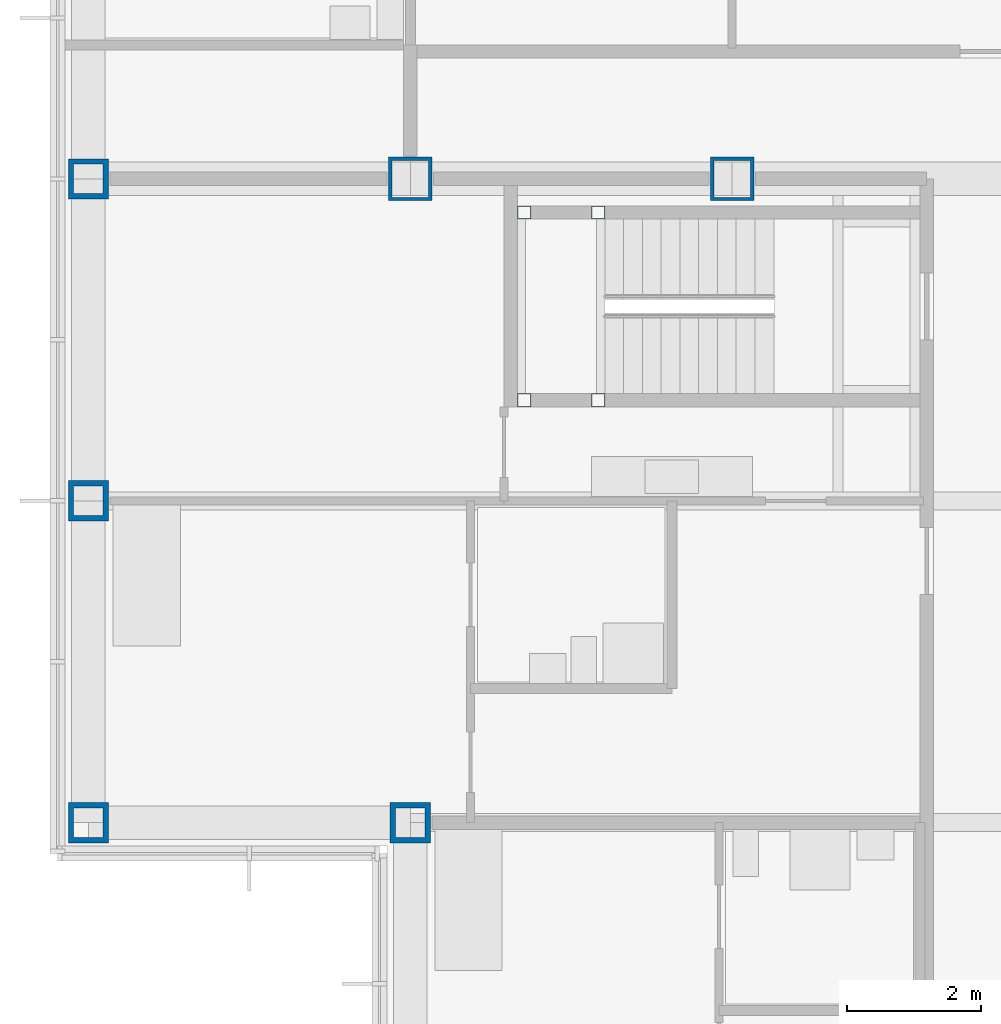
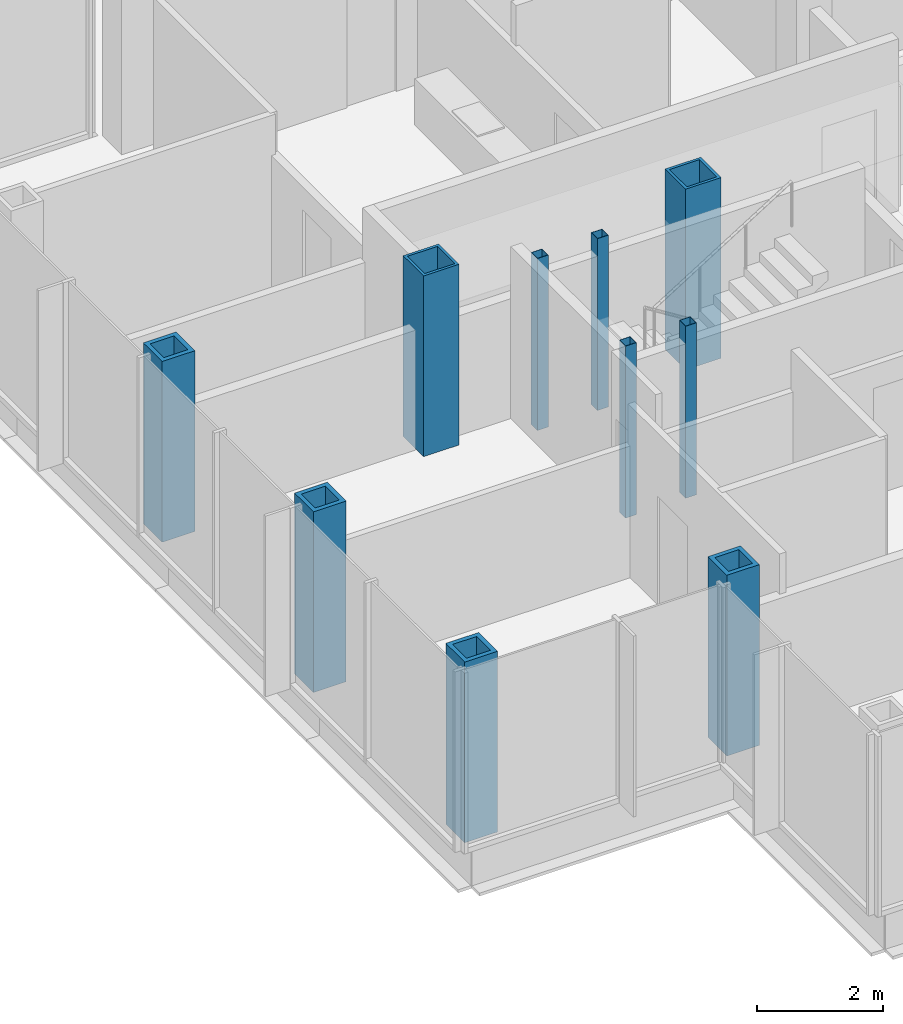
# One storey, part 3 of 19: 10 columns.
"""IFC4 building model written with IfcOpenShell, lengths in metres."""

from ifc_helpers import new_model, si_unit, direction, frame, origin, origin_2d, place, context, subcontext, project, spatial, hollow_rectangle, extrude, material, material_profile, profile_set, type_object, element, save


model = new_model("IFC4")

# Units and contexts
model_context = context("Model", 3, precision=1e-05, world=origin(), true_north=direction((0.0, 1.0)))
body_context = subcontext(model_context, "Body", "Model", "MODEL_VIEW")
ifc_project = project(units=[si_unit("LENGTHUNIT", "METRE"), si_unit("AREAUNIT", "SQUARE_METRE"), si_unit("VOLUMEUNIT", "CUBIC_METRE"), si_unit("PLANEANGLEUNIT", "RADIAN"), si_unit("MASSUNIT", "GRAM", prefix="KILO")], contexts=[model_context])

# Site, building, storey
site_placement = place(None, origin())
site = spatial("IfcSite", under=ifc_project, at=site_placement, CompositionType="ELEMENT")
building_placement = place(site_placement, origin())
building = spatial("IfcBuilding", under=site, at=building_placement, Name="Kvirike Care Tower", CompositionType="ELEMENT")
storey_placement = place(building_placement, frame((0.0, 0.0, 129.5)))
storey = spatial("IfcBuildingStorey", under=building, at=storey_placement, Name="L35", CompositionType="ELEMENT", Elevation=129.5)

# Columns
ifc_material_1 = material(Name="Steel S460", Category="steel")
ifc_material_profile_1 = material_profile(ifc_material_1, hollow_rectangle(XDim=0.60009765625, YDim=0.60009765625, WallThickness=0.080078125, at=origin_2d()), Name="BX 600x600x80")
ifc_profile_set_1 = profile_set([ifc_material_profile_1], Name="Steel S460")
column_type_1 = type_object("IfcColumnType", Name="COLUMN BX 600x600x80", PredefinedType="COLUMN", material=ifc_profile_set_1)
for number, where, z_axis, x_axis, name in (
    (1, (0.0, 33.60009765625, 0.0), (0.0, 0.0, 1.0), (0.0, 1.0, 0.0), "Column H3 L35"),
    (2, (0.0, 38.39990234375, 0.0), (0.0, 0.0, 1.0), (1.0, 0.0, 0.0), "Column J3 L35"),
    (3, (0.0, 43.199951171875, 0.0), (0.0, 0.0, 1.0), (0.0, 1.0, 0.0), "Column K3 L35"),
    (4, (4.800048828125, 33.60009765625, 0.0), (0.0, 0.0, 1.0), (0.0, 1.0, 0.0), "Column H4 L35"),
):
    element("IfcColumn", number, at=place(storey_placement, frame(where, z_axis=z_axis, x_axis=x_axis)), inside=storey, type_object=column_type_1, Name=name, PredefinedType="COLUMN", context=body_context, shape_type="SweptSolid", body=[
        extrude(hollow_rectangle(XDim=0.60009765625, YDim=0.60009765625, WallThickness=0.080078125, at=origin_2d()), origin(), (0.0, 0.0, 1.0), 3.5),
    ])
ifc_material_2 = material(Name="Steel S460", Category="steel")
ifc_material_profile_2 = material_profile(ifc_material_2, hollow_rectangle(XDim=0.64990234375, YDim=0.64990234375, WallThickness=0.050048828125, at=origin_2d()), Name="BX 650x650x50")
ifc_profile_set_2 = profile_set([ifc_material_profile_2], Name="Steel S460")
column_type_2 = type_object("IfcColumnType", Name="COLUMN BX 650x650x50", PredefinedType="COLUMN", material=ifc_profile_set_2)
for number, where, z_axis, x_axis, name in (
    (5, (4.800048828125, 43.199951171875, 0.0), (0.0, 0.0, 1.0), (0.0, 1.0, 0.0), "Column K4 L35"),
    (6, (9.60009765625, 43.199951171875, 0.0), (0.0, 0.0, 1.0), (0.0, 1.0, 0.0), "Column K5 L35"),
):
    element("IfcColumn", number, at=place(storey_placement, frame(where, z_axis=z_axis, x_axis=x_axis)), inside=storey, type_object=column_type_2, Name=name, PredefinedType="COLUMN", context=body_context, shape_type="SweptSolid", body=[
        extrude(hollow_rectangle(XDim=0.64990234375, YDim=0.64990234375, WallThickness=0.050048828125, at=origin_2d()), origin(), (0.0, 0.0, 1.0), 3.5),
    ])
ifc_material_3 = material(Name="Steel S460", Category="steel")
ifc_material_profile_3 = material_profile(ifc_material_3, hollow_rectangle(XDim=0.199951171875, YDim=0.199951171875, WallThickness=0.008056640625, at=origin_2d()), Name="SHS 200x200x8")
ifc_profile_set_3 = profile_set([ifc_material_profile_3], Name="Steel S460")
column_type_3 = type_object("IfcColumnType", Name="STAIR POST SHS 200x200x8", PredefinedType="COLUMN", material=ifc_profile_set_3)
for number, where, z_axis, x_axis, name in (
    (7, (6.5, 42.699951171875, 0.0), (0.0, 0.0, 1.0), (1.0, 0.0, 0.0), "Stair 1 post 1 L35"),
    (8, (6.5, 39.89990234375, 0.0), (0.0, 0.0, 1.0), (1.0, 0.0, 0.0), "Stair 1 post 2 L35"),
    (9, (7.60009765625, 42.699951171875, 0.0), (0.0, 0.0, 1.0), (1.0, 0.0, 0.0), "Stair 1 post 3 L35"),
    (10, (7.60009765625, 39.89990234375, 0.0), (0.0, 0.0, 1.0), (1.0, 0.0, 0.0), "Stair 1 post 4 L35"),
):
    element("IfcColumn", number, at=place(storey_placement, frame(where, z_axis=z_axis, x_axis=x_axis)), inside=storey, type_object=column_type_3, Name=name, PredefinedType="COLUMN", context=body_context, shape_type="SweptSolid", body=[
        extrude(hollow_rectangle(XDim=0.199951171875, YDim=0.199951171875, WallThickness=0.008056640625, at=origin_2d()), origin(), (0.0, 0.0, 1.0), 3.330078125),
    ])

save(model, "model.ifc")
